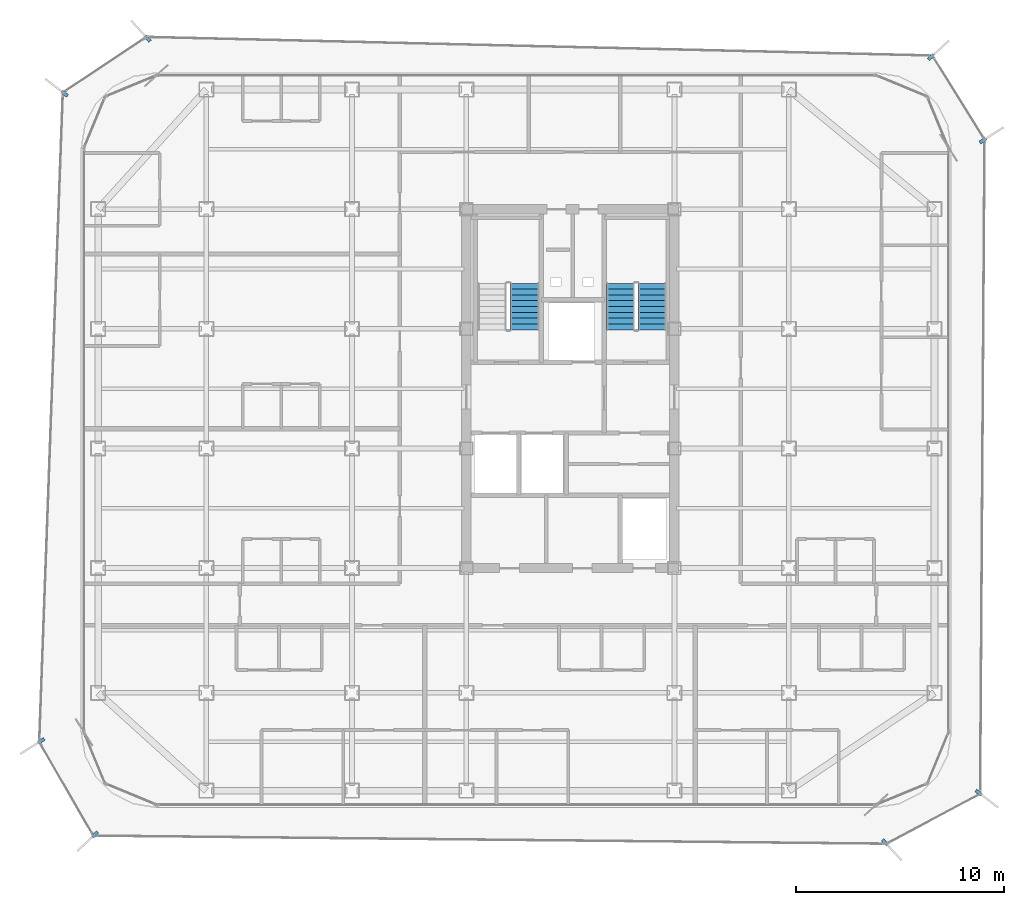
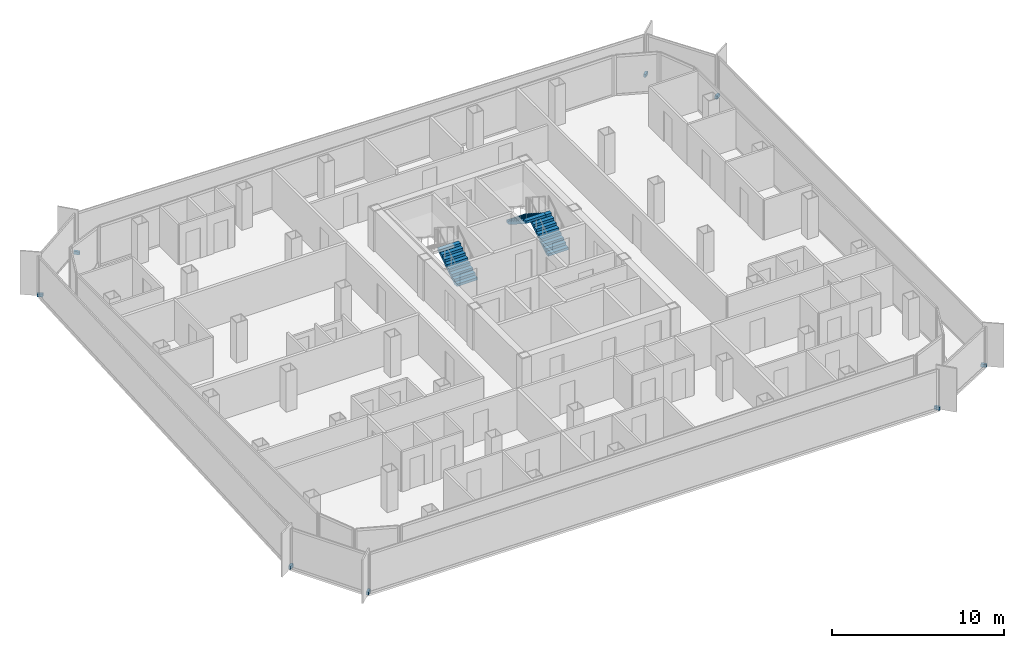
# One storey, part 13 of 16: 8 discrete accessories, 3 stair flights, 2 elements without a shape of their own.
"""IFC4 building model written with IfcOpenShell, lengths in metres."""

from ifc_helpers import new_model, si_unit, direction, frame, origin, origin_2d, place, context, subcontext, project, spatial, polyline, rectangle, outline, extrude, source, transform, mapped, material, layer, layer_set, type_object, element, aggregate, save


model = new_model("IFC4")

# Units and contexts
model_context = context("Model", 3, precision=1e-05, world=origin(), true_north=direction((0.0, 1.0)))
body_context = subcontext(model_context, "Body", "Model", "MODEL_VIEW")
ifc_project = project(units=[si_unit("LENGTHUNIT", "METRE"), si_unit("AREAUNIT", "SQUARE_METRE"), si_unit("VOLUMEUNIT", "CUBIC_METRE"), si_unit("PLANEANGLEUNIT", "RADIAN"), si_unit("MASSUNIT", "GRAM", prefix="KILO")], contexts=[model_context])

# Site, building, storey
site_placement = place(None, origin())
site = spatial("IfcSite", under=ifc_project, at=site_placement, CompositionType="ELEMENT")
building_placement = place(site_placement, origin())
building = spatial("IfcBuilding", under=site, at=building_placement, Name="Kolveth Station Tower", CompositionType="ELEMENT")
storey_placement = place(building_placement, frame((0.0, 0.0, 212.39990234375)))
storey = spatial("IfcBuildingStorey", under=building, at=storey_placement, Name="L60", CompositionType="ELEMENT", Elevation=212.39990234375)

# Stair, stair flight
ifc_material_1 = material(Name="Concrete C40/50", Category="concrete")
stair_type_1 = type_object("IfcStairType", Name="Stair_ST1", PredefinedType="HALF_TURN_STAIR", material=ifc_material_1)
stair_1_placement = place(storey_placement, origin())
stair_1 = element("IfcStair", 1, at=stair_1_placement, inside=storey, type_object=stair_type_1, Name="L60 Tower Exit Stair ST1", PredefinedType="HALF_TURN_STAIR")
ifc_layer_1 = layer(ifc_material_1, 0.179931640625)
ifc_layer_set_1 = layer_set([ifc_layer_1], Name="Concrete C40/50")
stair_flight_type_1 = type_object("IfcStairFlightType", Name="Flight_ST1", PredefinedType="STRAIGHT", material=ifc_layer_set_1)
stair_flight_1_placement = place(storey_placement, frame((21.300048828125, 22.949951171875, 0.0), z_axis=(0.0, 0.0, 1.0), x_axis=(0.0, 1.0, 0.0)))
stair_flight_1 = element("IfcStairFlight", 2, at=stair_flight_1_placement, type_object=stair_flight_type_1, Name="ST1 flight 1", NumberOfRisers=9, NumberOfTreads=8, PredefinedType="STRAIGHT", RiserHeight=0.177777778, TreadLength=0.28, context=body_context, shape_type="SweptSolid", body=[
    extrude(outline(polyline([(0.0, 0.0), (0.0, 0.177734375), (0.280029296875, 0.177734375), (0.280029296875, 0.35546875), (0.56005859375, 0.35546875), (0.56005859375, 0.533447265625), (0.840087890625, 0.533447265625), (0.840087890625, 0.711181640625), (1.1201171875, 0.711181640625), (1.1201171875, 0.888916015625), (1.39990234375, 0.888916015625), (1.39990234375, 1.066650390625), (1.679931640625, 1.066650390625), (1.679931640625, 1.244384765625), (1.9599609375, 1.244384765625), (1.9599609375, 1.422119140625), (2.239990234375, 1.422119140625), (2.239990234375, 1.60009765625), (2.239990234375, 1.24462890625), (0.27978515625, 0.0), (0.0, 0.0)])), frame((0.0, 0.699951171875, 0.0), z_axis=(0.0, -1.0, 0.0), x_axis=(1.0, 0.0, 0.0)), (0.0, 0.0, 1.0), 1.39990234375),
])
aggregate(stair_1, [stair_flight_1])

# Stair, stair flights
stair_type_2 = type_object("IfcStairType", Name="Stair_ST2", PredefinedType="HALF_TURN_STAIR", material=ifc_material_1)
stair_2_placement = place(storey_placement, origin())
stair_2 = element("IfcStair", 3, at=stair_2_placement, inside=storey, type_object=stair_type_2, Name="L60 Tower Exit Stair ST2", PredefinedType="HALF_TURN_STAIR")
ifc_layer_2 = layer(ifc_material_1, 0.179931640625)
ifc_layer_set_2 = layer_set([ifc_layer_2], Name="Concrete C40/50")
stair_flight_type_2 = type_object("IfcStairFlightType", Name="Flight_ST2", PredefinedType="STRAIGHT", material=ifc_layer_set_2)
stair_flight_2_placement = place(storey_placement, frame((27.425048828125, 22.949951171875, 0.0), z_axis=(0.0, 0.0, 1.0), x_axis=(0.0, 1.0, 0.0)))
stair_flight_2 = element("IfcStairFlight", 4, at=stair_flight_2_placement, type_object=stair_flight_type_2, Name="ST2 flight 1", NumberOfRisers=9, NumberOfTreads=8, PredefinedType="STRAIGHT", RiserHeight=0.177777778, TreadLength=0.28, context=body_context, shape_type="SweptSolid", body=[
    extrude(outline(polyline([(0.0, 0.0), (0.0, 0.177734375), (0.280029296875, 0.177734375), (0.280029296875, 0.35546875), (0.56005859375, 0.35546875), (0.56005859375, 0.533447265625), (0.840087890625, 0.533447265625), (0.840087890625, 0.711181640625), (1.1201171875, 0.711181640625), (1.1201171875, 0.888916015625), (1.39990234375, 0.888916015625), (1.39990234375, 1.066650390625), (1.679931640625, 1.066650390625), (1.679931640625, 1.244384765625), (1.9599609375, 1.244384765625), (1.9599609375, 1.422119140625), (2.239990234375, 1.422119140625), (2.239990234375, 1.60009765625), (2.239990234375, 1.24462890625), (0.27978515625, 0.0), (0.0, 0.0)])), frame((0.0, 0.675048828125, 0.0), z_axis=(0.0, -1.0, 0.0), x_axis=(1.0, 0.0, 0.0)), (0.0, 0.0, 1.0), 1.35009765625),
])
stair_flight_3_placement = place(storey_placement, frame((25.9150390625, 25.18994140625, 1.60009765625), z_axis=(0.0, 0.0, 1.0), x_axis=(0.0, -1.0, 0.0)))
stair_flight_3 = element("IfcStairFlight", 5, at=stair_flight_3_placement, type_object=stair_flight_type_2, Name="ST2 flight 2", NumberOfRisers=9, NumberOfTreads=8, PredefinedType="STRAIGHT", RiserHeight=0.177777778, TreadLength=0.28, context=body_context, shape_type="SweptSolid", body=[
    extrude(outline(polyline([(0.0, 0.0), (0.0, 0.177734375), (0.280029296875, 0.177734375), (0.280029296875, 0.35546875), (0.56005859375, 0.35546875), (0.56005859375, 0.533447265625), (0.840087890625, 0.533447265625), (0.840087890625, 0.711181640625), (1.1201171875, 0.711181640625), (1.1201171875, 0.888916015625), (1.39990234375, 0.888916015625), (1.39990234375, 1.066650390625), (1.679931640625, 1.066650390625), (1.679931640625, 1.244384765625), (1.9599609375, 1.244384765625), (1.9599609375, 1.422119140625), (2.239990234375, 1.422119140625), (2.239990234375, 1.60009765625), (2.239990234375, 1.24462890625), (0.27978515625, 0.0), (0.0, 0.0)])), frame((0.0, 0.675048828125, 0.0), z_axis=(0.0, -1.0, 0.0), x_axis=(1.0, 0.0, 0.0)), (0.0, 0.0, 1.0), 1.35009765625),
])
aggregate(stair_2, [stair_flight_2, stair_flight_3])

# Discrete accessories
ifc_material_2 = material(Name="Steel S355", Category="steel")
discrete_accessory_type = type_object("IfcDiscreteAccessoryType", Name="Bracket_BK1", PredefinedType="BRACKET", material=ifc_material_2)
shared_shape = source(origin(), body_context, "Body", "SweptSolid", [
    extrude(rectangle(XDim=0.35009765625, YDim=0.159912109375, at=origin_2d()), origin(), (0.0, 0.0, 1.0), 0.219970703125),
])
for number, where, z_axis, x_axis, name in (
    (6, (38.6240234375, -1.68505859375, -0.06005859375), (0.0, 0.0, 1.0), (0.675718876495, -0.737159412846, 0.0), "L60 Double-Skin Radial Tie Bracket 1"),
    (7, (43.126953125, 0.7041015625, -0.06005859375), (0.0, 0.0, 1.0), (0.79526190254, -0.606266035968, 0.0), "L60 Double-Skin Radial Tie Bracket 2"),
    (8, (43.33203125, 32.052001953125, -0.06005859375), (0.0, 0.0, 1.0), (0.841510781945, 0.540240320478, 0.0), "L60 Double-Skin Radial Tie Bracket 3"),
    (9, (40.837890625, 36.06103515625, -0.06005859375), (0.0, 0.0, 1.0), (0.734677827999, 0.678416162135, 0.0), "L60 Double-Skin Radial Tie Bracket 4"),
    (10, (3.179931640625, 36.949951171875, -0.06005859375), (0.0, 0.0, 1.0), (-0.676361912062, 0.736569456271, 0.0), "L60 Double-Skin Radial Tie Bracket 5"),
    (11, (-0.81201171875, 34.300048828125, -0.06005859375), (0.0, 0.0, 1.0), (-0.793565789779, 0.608484459368, 0.0), "L60 Double-Skin Radial Tie Bracket 6"),
    (12, (-1.93994140625, 3.196044921875, -0.06005859375), (0.0, 0.0, 1.0), (-0.844981931132, -0.534794854183, 0.0), "L60 Double-Skin Radial Tie Bracket 7"),
    (13, (0.652099609375, -1.302978515625, -0.06005859375), (0.0, 0.0, 1.0), (-0.73004301173, -0.683401200631, 0.0), "L60 Double-Skin Radial Tie Bracket 8"),
):
    element("IfcDiscreteAccessory", number, at=place(storey_placement, frame(where, z_axis=z_axis, x_axis=x_axis)), inside=storey, type_object=discrete_accessory_type, Name=name, PredefinedType="BRACKET", context=body_context, shape_type="MappedRepresentation", body=[
        mapped(shared_shape, transform((0.0, 0.0, 0.0), x_axis=(1.0, 0.0, 0.0), y_axis=(0.0, 1.0, 0.0), z_axis=(0.0, 0.0, 1.0), scale=1.0)),
    ])

save(model, "model.ifc")
